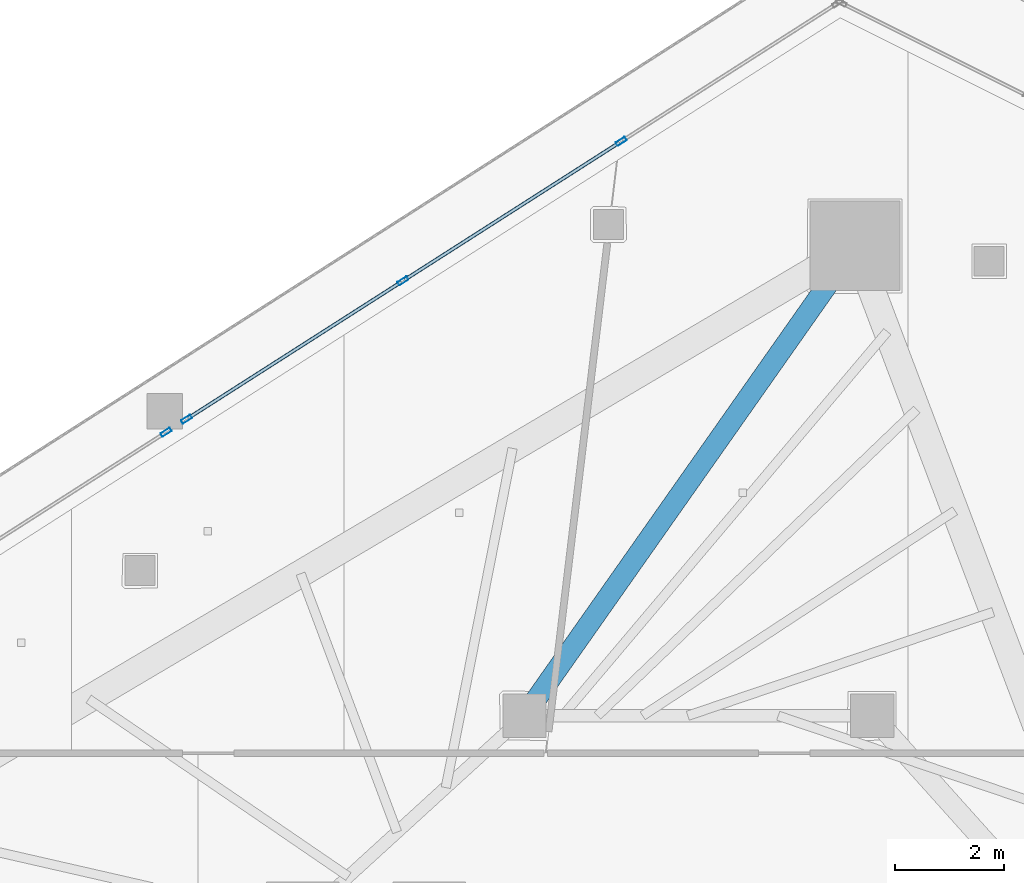
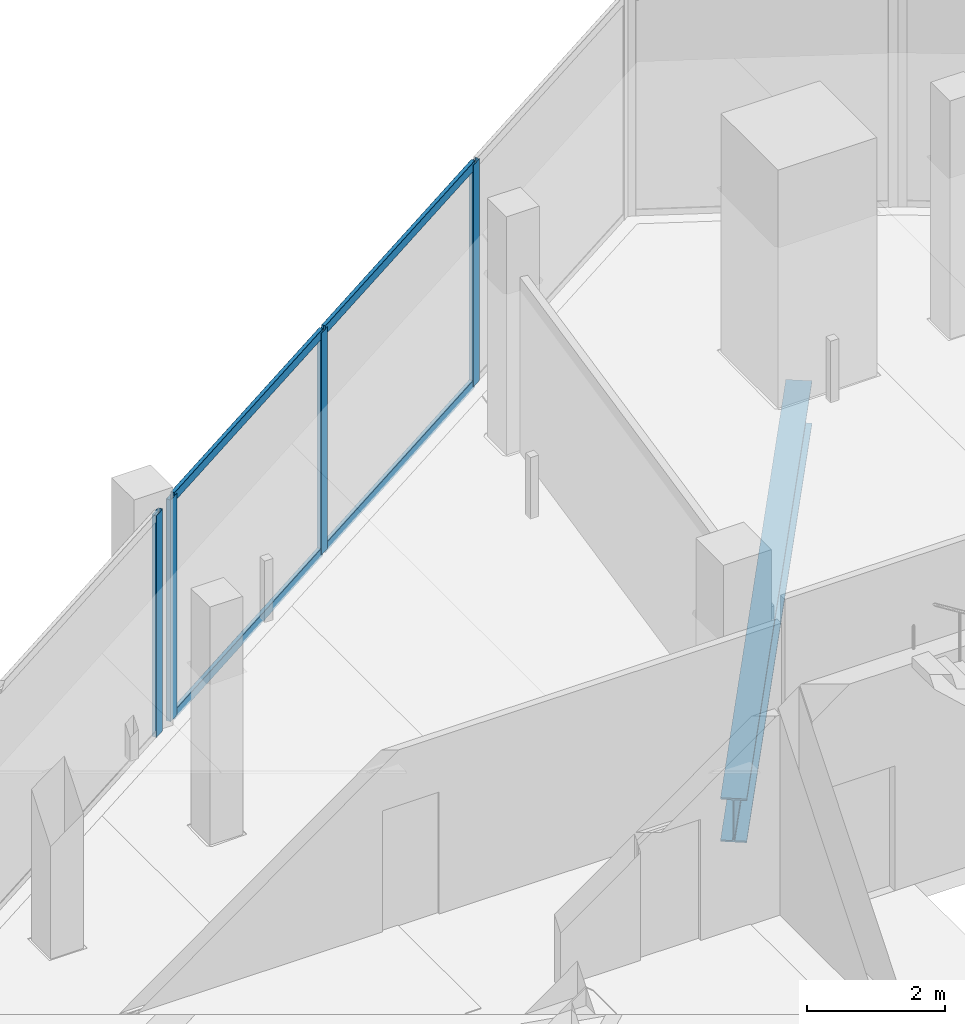
# One storey, part 17 of 31: 8 members, 1 beam, 2 elements without a shape of their own.
"""IFC4 building model written with IfcOpenShell, lengths in metres."""

from ifc_helpers import new_model, si_unit, direction, frame, origin, origin_2d, place, context, subcontext, project, spatial, hollow_rectangle, i_section, extrude, material, layer, layer_set, material_profile, profile_set, type_object, element, aggregate, save


model = new_model("IFC4")

# Units and contexts
model_context = context("Model", 3, precision=1e-05, world=origin(), true_north=direction((0.0, 1.0)))
body_context = subcontext(model_context, "Body", "Model", "MODEL_VIEW")
ifc_project = project(units=[si_unit("LENGTHUNIT", "METRE"), si_unit("AREAUNIT", "SQUARE_METRE"), si_unit("VOLUMEUNIT", "CUBIC_METRE"), si_unit("PLANEANGLEUNIT", "RADIAN"), si_unit("MASSUNIT", "GRAM", prefix="KILO")], contexts=[model_context])

# Site, building, storey
site_placement = place(None, origin())
site = spatial("IfcSite", under=ifc_project, at=site_placement, CompositionType="ELEMENT")
building_placement = place(site_placement, origin())
building = spatial("IfcBuilding", under=site, at=building_placement, Name="Qorvath Tower", CompositionType="ELEMENT")
storey_placement = place(building_placement, frame((0.0, 0.0, 264.0)))
storey = spatial("IfcBuildingStorey", under=building, at=storey_placement, Name="L61", CompositionType="ELEMENT", Elevation=264.0)

# Beam
ifc_material_1 = material(Name="Steel ASTM A992 Grade 50", Category="steel")
ifc_material_profile_1 = material_profile(ifc_material_1, i_section(OverallWidth=0.381103515625, OverallDepth=0.77294921875, WebThickness=0.0166015625, FlangeThickness=0.027099609375, FilletRadius=0.01904296875, at=origin_2d()), Name="W30x173")
ifc_profile_set_1 = profile_set([ifc_material_profile_1], Name="Steel ASTM A992 Grade 50")
beam_type = type_object("IfcBeamType", Name="BM-FG3", PredefinedType="BEAM", material=ifc_profile_set_1)
beam_placement = place(storey_placement, frame((-23.60009765625, 11.449951171875, -0.676513671875), z_axis=(0.575274974004, 0.81796008722, 0.0), x_axis=(-0.81796008722, 0.575274974004, 0.0)))
element("IfcBeam", 1, at=beam_placement, inside=storey, type_object=beam_type, Name="Radial Floor Girder CC1-MC6 L61", PredefinedType="BEAM", context=body_context, shape_type="SweptSolid", body=[
    extrude(i_section(OverallWidth=0.381103515625, OverallDepth=0.77294921875, WebThickness=0.0166015625, FlangeThickness=0.027099609375, FilletRadius=0.01904296875, at=origin_2d()), origin(), (0.0, 0.0, 1.0), 10.5771484375),
])

# Curtain wall, members
ifc_material_2 = material(Name="Anodised aluminium and triple low-E glass", Category="aluminium")
ifc_layer = layer(ifc_material_2, 0.179931640625)
ifc_layer_set = layer_set([ifc_layer], Name="CW-SYS-4")
curtain_wall_type = type_object("IfcCurtainWallType", Name="CW-SYS-4", PredefinedType="NOTDEFINED", material=ifc_layer_set)
curtain_wall_1_placement = place(storey_placement, origin())
curtain_wall_1 = element("IfcCurtainWall", 2, at=curtain_wall_1_placement, inside=storey, type_object=curtain_wall_type, Name="Curtain Wall CW-4 CW-T-L61-16.1", PredefinedType="NOTDEFINED")
ifc_material_3 = material(Name="Anodised aluminium 6063-T6", Category="aluminium")
ifc_material_profile_2 = material_profile(ifc_material_3, hollow_rectangle(XDim=0.074951171875, YDim=0.199951171875, WallThickness=0.00390625, InnerFilletRadius=0.00390625, OuterFilletRadius=0.008056640625, at=origin_2d()), Name="CWM 200x75")
ifc_profile_set_2 = profile_set([ifc_material_profile_2], Name="Anodised aluminium 6063-T6")
member_type_1 = type_object("IfcMemberType", Name="CWM-200", PredefinedType="MULLION", material=ifc_profile_set_2)
member_1_placement = place(storey_placement, frame((-21.820068359375, 22.025146484375, 0.0), z_axis=(0.0, 0.0, 1.0), x_axis=(0.538522903218, -0.842610872651, 0.0)))
member_1 = element("IfcMember", 3, at=member_1_placement, type_object=member_type_1, Name="CW-4 mullion 2", PredefinedType="MULLION", context=body_context, shape_type="SweptSolid", body=[
    extrude(hollow_rectangle(XDim=0.074951171875, YDim=0.199951171875, WallThickness=0.00390625, InnerFilletRadius=0.00390625, OuterFilletRadius=0.008056640625, at=origin_2d()), origin(), (0.0, 0.0, 1.0), 3.909912109375),
])
member_2_placement = place(storey_placement, frame((-25.83740234375, 19.45751953125, 0.0), z_axis=(0.0, 0.0, 1.0), x_axis=(0.538522903218, -0.842610872651, 0.0)))
member_2 = element("IfcMember", 4, at=member_2_placement, type_object=member_type_1, Name="CW-4 mullion 3", PredefinedType="MULLION", context=body_context, shape_type="SweptSolid", body=[
    extrude(hollow_rectangle(XDim=0.074951171875, YDim=0.199951171875, WallThickness=0.00390625, InnerFilletRadius=0.00390625, OuterFilletRadius=0.008056640625, at=origin_2d()), origin(), (0.0, 0.0, 1.0), 3.909912109375),
])
member_3_placement = place(storey_placement, frame((-29.823486328125, 16.91015625, 0.0), z_axis=(0.0, 0.0, 1.0), x_axis=(0.538522903218, -0.842610872651, 0.0)))
member_3 = element("IfcMember", 5, at=member_3_placement, type_object=member_type_1, Name="CW-4 mullion 4", PredefinedType="MULLION", context=body_context, shape_type="SweptSolid", body=[
    extrude(hollow_rectangle(XDim=0.074951171875, YDim=0.199951171875, WallThickness=0.00390625, InnerFilletRadius=0.00390625, OuterFilletRadius=0.008056640625, at=origin_2d()), origin(), (0.0, 0.0, 1.0), 3.909912109375),
])

# Curtain wall, member
curtain_wall_2_placement = place(storey_placement, origin())
curtain_wall_2 = element("IfcCurtainWall", 6, at=curtain_wall_2_placement, inside=storey, type_object=curtain_wall_type, Name="Curtain Wall CW-4 CW-T-L61-16.2", PredefinedType="NOTDEFINED")
member_4_placement = place(storey_placement, frame((-30.19970703125, 16.66943359375, 0.0), z_axis=(0.0, 0.0, 1.0), x_axis=(0.538544411218, -0.842597126239, 0.0)))
member_4 = element("IfcMember", 7, at=member_4_placement, type_object=member_type_1, Name="CW-4 mullion 1", PredefinedType="MULLION", context=body_context, shape_type="SweptSolid", body=[
    extrude(hollow_rectangle(XDim=0.074951171875, YDim=0.199951171875, WallThickness=0.00390625, InnerFilletRadius=0.00390625, OuterFilletRadius=0.008056640625, at=origin_2d()), origin(), (0.0, 0.0, 1.0), 3.909912109375),
])
aggregate(curtain_wall_2, [member_4])

# Member
ifc_material_4 = material(Name="Anodised aluminium 6063-T6", Category="aluminium")
ifc_material_profile_3 = material_profile(ifc_material_4, hollow_rectangle(XDim=0.06494140625, YDim=0.159912109375, WallThickness=0.00341796875, InnerFilletRadius=0.00341796875, OuterFilletRadius=0.007080078125, at=origin_2d()), Name="CWT 160x65")
ifc_profile_set_3 = profile_set([ifc_material_profile_3], Name="Anodised aluminium 6063-T6")
member_type_2 = type_object("IfcMemberType", Name="CWT-160", PredefinedType="USERDEFINED", material=ifc_profile_set_3)
member_5_placement = place(storey_placement, frame((-21.8515625, 22.0048828125, 0.032470703125), z_axis=(-0.84262741064, -0.53849702584, 0.0), x_axis=(0.53849702584, -0.84262741064, 0.0)))
member_5 = element("IfcMember", 8, at=member_5_placement, type_object=member_type_2, Name="CW-4 transom 2.1", ObjectType="TRANSOM", PredefinedType="USERDEFINED", context=body_context, shape_type="SweptSolid", body=[
    extrude(hollow_rectangle(XDim=0.06494140625, YDim=0.159912109375, WallThickness=0.00341796875, InnerFilletRadius=0.00341796875, OuterFilletRadius=0.007080078125, at=origin_2d()), origin(), (0.0, 0.0, 1.0), 4.69287109375),
])

member_6_placement = place(storey_placement, frame((-21.8515625, 22.0048828125, 3.87744140625), z_axis=(-0.84262741064, -0.53849702584, 0.0), x_axis=(0.53849702584, -0.84262741064, 0.0)))
member_6 = element("IfcMember", 9, at=member_6_placement, type_object=member_type_2, Name="CW-4 transom 2.2", ObjectType="TRANSOM", PredefinedType="USERDEFINED", context=body_context, shape_type="SweptSolid", body=[
    extrude(hollow_rectangle(XDim=0.06494140625, YDim=0.159912109375, WallThickness=0.00341796875, InnerFilletRadius=0.00341796875, OuterFilletRadius=0.007080078125, at=origin_2d()), origin(), (0.0, 0.0, 1.0), 4.69287109375),
])

member_7_placement = place(storey_placement, frame((-25.869140625, 19.437255859375, 0.032470703125), z_axis=(-0.842601734478, -0.53853720118, 0.0), x_axis=(0.53853720118, -0.842601734478, 0.0)))
member_7 = element("IfcMember", 10, at=member_7_placement, type_object=member_type_2, Name="CW-4 transom 3.1", ObjectType="TRANSOM", PredefinedType="USERDEFINED", context=body_context, shape_type="SweptSolid", body=[
    extrude(hollow_rectangle(XDim=0.06494140625, YDim=0.159912109375, WallThickness=0.00341796875, InnerFilletRadius=0.00341796875, OuterFilletRadius=0.007080078125, at=origin_2d()), origin(), (0.0, 0.0, 1.0), 4.6552734375),
])

member_8_placement = place(storey_placement, frame((-25.869140625, 19.437255859375, 3.87744140625), z_axis=(-0.842601734478, -0.53853720118, 0.0), x_axis=(0.53853720118, -0.842601734478, 0.0)))
member_8 = element("IfcMember", 11, at=member_8_placement, type_object=member_type_2, Name="CW-4 transom 3.2", ObjectType="TRANSOM", PredefinedType="USERDEFINED", context=body_context, shape_type="SweptSolid", body=[
    extrude(hollow_rectangle(XDim=0.06494140625, YDim=0.159912109375, WallThickness=0.00341796875, InnerFilletRadius=0.00341796875, OuterFilletRadius=0.007080078125, at=origin_2d()), origin(), (0.0, 0.0, 1.0), 4.6552734375),
])

aggregate(curtain_wall_1, [member_1, member_2, member_3, member_5, member_6, member_7, member_8])

save(model, "model.ifc")
